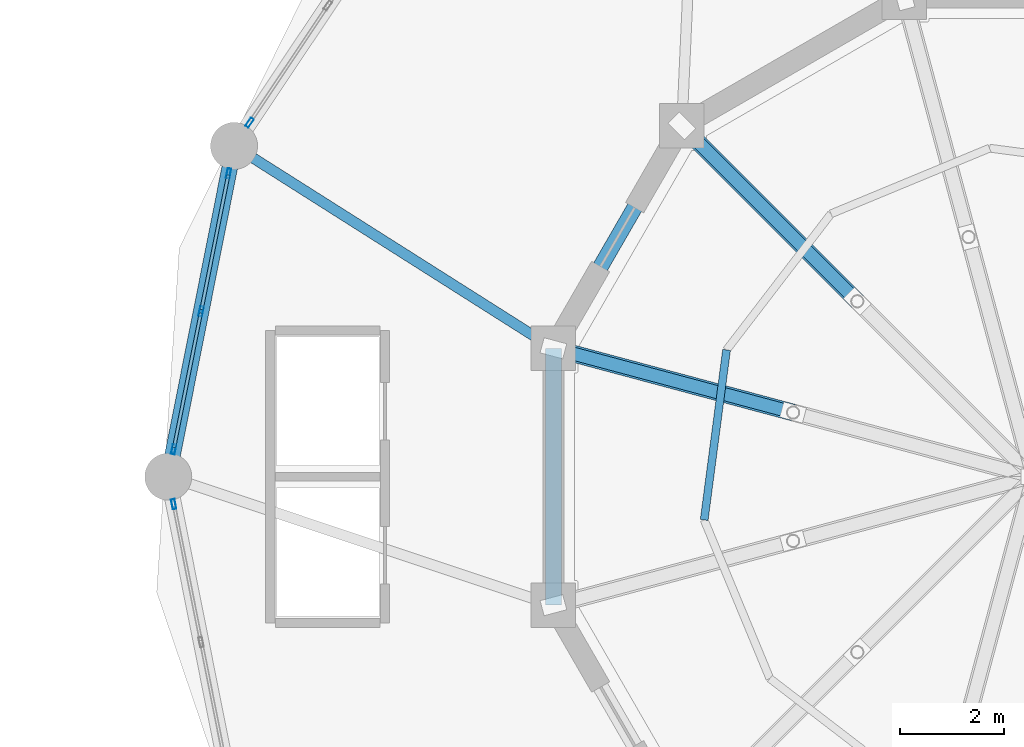
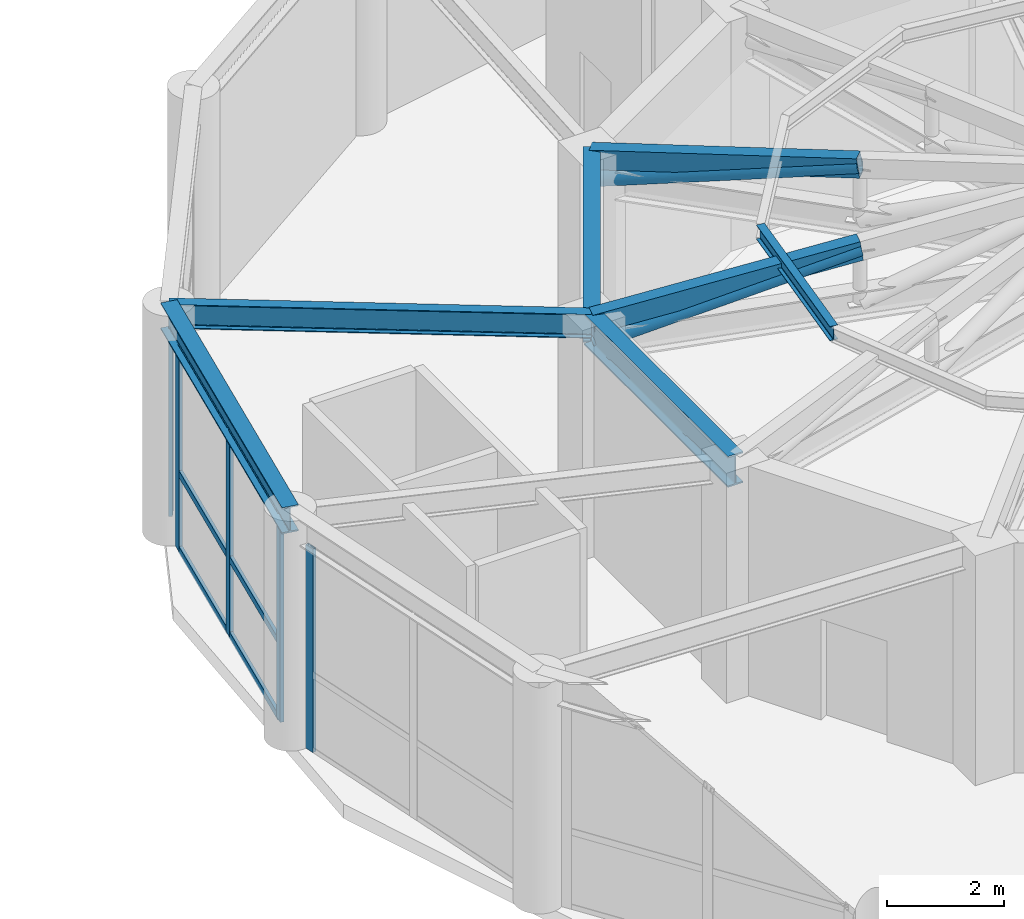
# One storey, part 10 of 26: 16 members, 4 beams, 3 elements without a shape of their own.
"""IFC4 building model written with IfcOpenShell, lengths in metres."""

from ifc_helpers import new_model, si_unit, derived_unit, direction, frame, origin, origin_2d, place, context, subcontext, project, spatial, hollow_rectangle, hollow_circle, i_section, extrude, source, transform, mapped, material, layer, layer_set, material_profile, profile_set, type_object, element, aggregate, save


model = new_model("IFC4")

# Units and contexts
model_context = context("Model", 3, precision=1e-05, world=origin(), true_north=direction((0.0, 1.0)))
body_context = subcontext(model_context, "Body", "Model", "MODEL_VIEW")
ifc_project = project(units=[si_unit("LENGTHUNIT", "METRE"), si_unit("AREAUNIT", "SQUARE_METRE"), si_unit("VOLUMEUNIT", "CUBIC_METRE"), si_unit("PLANEANGLEUNIT", "RADIAN"), si_unit("MASSUNIT", "GRAM", prefix="KILO"), derived_unit("THERMALTRANSMITTANCEUNIT", [(si_unit("POWERUNIT", "WATT"), 1), (si_unit("LENGTHUNIT", "METRE"), -2), (si_unit("THERMODYNAMICTEMPERATUREUNIT", "KELVIN"), -1)])], contexts=[model_context])

# Site, building, storey
site_placement = place(None, origin())
site = spatial("IfcSite", under=ifc_project, at=site_placement, CompositionType="ELEMENT")
building_placement = place(site_placement, origin())
building = spatial("IfcBuilding", under=site, at=building_placement, Name="Korsvarv Bourse and Concert Hall", CompositionType="ELEMENT")
storey_placement = place(building_placement, frame((0.0, 0.0, 19.199951171875)))
storey = spatial("IfcBuildingStorey", under=building, at=storey_placement, Name="L04", CompositionType="ELEMENT", Elevation=19.199951171875)

# Beams
ifc_material_1 = material(Name="Steel S355", Category="steel")
ifc_material_profile_1 = material_profile(ifc_material_1, i_section(OverallWidth=0.300048828125, OverallDepth=0.550048828125, WebThickness=0.014892578125, FlangeThickness=0.029052734375, FilletRadius=0.02392578125, at=origin_2d()), Name="HEB 550")
ifc_profile_set_1 = profile_set([ifc_material_profile_1], Name="Steel S355")
beam_type_1 = type_object("IfcBeamType", Name="BM-HEB550", PredefinedType="BEAM", material=ifc_profile_set_1)
shared_shape_1 = source(origin(), body_context, "Body", "SweptSolid", [
    extrude(i_section(OverallWidth=0.300048828125, OverallDepth=0.550048828125, WebThickness=0.014892578125, FlangeThickness=0.029052734375, FilletRadius=0.02392578125, at=origin_2d()), origin(), (0.0, 0.0, 1.0), 6.45751953125),
])
beam_1_placement = place(storey_placement, frame((91.509765625, 42.33349609375, 4.525146484375), z_axis=(-0.195083607229, -0.980786616034, 0.0), x_axis=(0.980786616034, -0.195083607229, 0.0)))
element("IfcBeam", 1, at=beam_1_placement, inside=storey, type_object=beam_type_1, Name="L04 beam B-06", PredefinedType="BEAM", context=body_context, shape_type="MappedRepresentation", body=[
    mapped(shared_shape_1, transform((0.0, 0.0, 0.0), scale=1.0)),
])
ifc_material_profile_2 = material_profile(ifc_material_1, i_section(OverallWidth=0.300048828125, OverallDepth=0.64990234375, WebThickness=0.01611328125, FlangeThickness=0.031005859375, FilletRadius=0.027099609375, at=origin_2d()), Name="HEB 650")
ifc_profile_set_2 = profile_set([ifc_material_profile_2], Name="Steel S355")
beam_type_2 = type_object("IfcBeamType", Name="BM-HEB650", PredefinedType="BEAM", material=ifc_profile_set_2)
shared_shape_2 = source(origin(), body_context, "Body", "SweptSolid", [
    extrude(i_section(OverallWidth=0.300048828125, OverallDepth=0.64990234375, WebThickness=0.01611328125, FlangeThickness=0.031005859375, FilletRadius=0.027099609375, at=origin_2d()), origin(), (0.0, 0.0, 1.0), 4.91748046875),
])
for number, where, z_axis, x_axis, name in (
    (2, (100.08251953125, 42.717529296875, 4.47509765625), (-0.499988900423, -0.866031812033, 0.0), (0.866031812033, -0.499988900423, 0.0), "L04 beam B-04"),
    (3, (97.623779296875, 38.458740234375, 4.47509765625), (0.0, -1.0, 0.0), (1.0, 0.0, 0.0), "L04 beam B-04"),
):
    element("IfcBeam", number, at=place(storey_placement, frame(where, z_axis=z_axis, x_axis=x_axis)), inside=storey, type_object=beam_type_2, Name=name, PredefinedType="BEAM", context=body_context, shape_type="MappedRepresentation", body=[
        mapped(shared_shape_2, transform((0.0, 0.0, 0.0), scale=1.0)),
    ])
ifc_material_profile_3 = material_profile(ifc_material_1, i_section(OverallWidth=0.199951171875, OverallDepth=0.5, WebThickness=0.01025390625, FlangeThickness=0.01611328125, FilletRadius=0.02099609375, at=origin_2d()), Name="IPE 500")
ifc_profile_set_3 = profile_set([ifc_material_profile_3], Name="Steel S355")
beam_type_3 = type_object("IfcBeamType", Name="BM-IPE500", PredefinedType="JOIST", material=ifc_profile_set_3)
shared_shape_3 = source(origin(), body_context, "Body", "SweptSolid", [
    extrude(i_section(OverallWidth=0.199951171875, OverallDepth=0.5, WebThickness=0.01025390625, FlangeThickness=0.01611328125, FilletRadius=0.02099609375, at=origin_2d()), origin(), (0.0, 0.0, 1.0), 7.238525390625),
])
beam_2_placement = place(storey_placement, frame((97.623779296875, 38.458740234375, 4.550048828125), z_axis=(-0.844659971835, 0.53530321499, 0.0), x_axis=(-0.53530321499, -0.844659971835, 0.0)))
element("IfcBeam", 4, at=beam_2_placement, inside=storey, type_object=beam_type_3, Name="L04 beam J-03", PredefinedType="JOIST", context=body_context, shape_type="MappedRepresentation", body=[
    mapped(shared_shape_3, transform((0.0, 0.0, 0.0), scale=1.0)),
])

# Members
ifc_material_profile_4 = material_profile(ifc_material_1, hollow_rectangle(XDim=0.25, YDim=0.39990234375, WallThickness=0.01611328125, at=origin_2d()), Name="RHS 400x250x16")
ifc_profile_set_4 = profile_set([ifc_material_profile_4], Name="Steel S355")
member_type_1 = type_object("IfcMemberType", Name="MEM-RHS400", PredefinedType="CHORD", material=ifc_profile_set_4)
shared_shape_4 = source(origin(), body_context, "Body", "SweptSolid", [
    extrude(hollow_rectangle(XDim=0.25, YDim=0.39990234375, WallThickness=0.01611328125, at=origin_2d()), origin(), (0.0, 0.0, 1.0), 4.79833984375),
])
for number, where, z_axis, x_axis, name in (
    (5, (100.08251953125, 42.717529296875, 4.60009765625), (0.699971430546, -0.699971430546, 0.141703891406), (0.707106781187, 0.707106781187, 0.0), "Concert Hall Roof Truss 5 Top Chord 1"),
    (6, (97.623779296875, 38.458740234375, 4.60009765625), (0.95618645144, -0.256180427978, 0.141700594224), (0.258791750001, 0.965933139576, 0.0), "Concert Hall Roof Truss 6 Top Chord 1"),
):
    element("IfcMember", number, at=place(storey_placement, frame(where, z_axis=z_axis, x_axis=x_axis)), inside=storey, type_object=member_type_1, Name=name, PredefinedType="CHORD", context=body_context, shape_type="MappedRepresentation", body=[
        mapped(shared_shape_4, transform((0.0, 0.0, 0.0), scale=1.0)),
    ])
ifc_material_profile_5 = material_profile(ifc_material_1, hollow_circle(Radius=0.161865234375, WallThickness=0.012451171875, at=origin_2d()), Name="CHS 323.9x12.5")
ifc_profile_set_5 = profile_set([ifc_material_profile_5], Name="Steel S355")
member_type_2 = type_object("IfcMemberType", Name="MEM-CHS324", PredefinedType="BRACE", material=ifc_profile_set_5)
shared_shape_5 = source(origin(), body_context, "Body", "SweptSolid", [
    extrude(hollow_circle(Radius=0.161865234375, WallThickness=0.012451171875, at=origin_2d()), origin(), (0.0, 0.0, 1.0), 4.882568359375),
])
member_1_placement = place(storey_placement, frame((97.623779296875, 38.458740234375, 4.150146484375), z_axis=(0.93971289474, -0.25176685069, 0.231415488578), x_axis=(0.258791750001, 0.965933139576, 0.0)))
element("IfcMember", 7, at=member_1_placement, inside=storey, type_object=member_type_2, Name="Concert Hall Roof Truss 6 Web Diagonal 1", PredefinedType="BRACE", context=body_context, shape_type="MappedRepresentation", body=[
    mapped(shared_shape_5, transform((0.0, 0.0, 0.0), scale=1.0)),
])
shared_shape_6 = source(origin(), body_context, "Body", "SweptSolid", [
    extrude(hollow_circle(Radius=0.161865234375, WallThickness=0.012451171875, at=origin_2d()), origin(), (0.0, 0.0, 1.0), 4.88232421875),
])
member_2_placement = place(storey_placement, frame((100.08251953125, 42.717529296875, 4.150146484375), z_axis=(0.687911500317, -0.687911500317, 0.231420689356), x_axis=(0.707106781187, 0.707106781187, 0.0)))
element("IfcMember", 8, at=member_2_placement, inside=storey, type_object=member_type_2, Name="Concert Hall Roof Truss 5 Web Diagonal 1", PredefinedType="BRACE", context=body_context, shape_type="MappedRepresentation", body=[
    mapped(shared_shape_6, transform((0.0, 0.0, 0.0), scale=1.0)),
])
ifc_material_profile_6 = material_profile(ifc_material_1, i_section(OverallWidth=0.14990234375, OverallDepth=0.300048828125, WebThickness=0.007080078125, FlangeThickness=0.0107421875, FilletRadius=0.014892578125, at=origin_2d()), Name="IPE 300")
ifc_profile_set_6 = profile_set([ifc_material_profile_6], Name="Steel S355")
member_type_3 = type_object("IfcMemberType", Name="MEM-PUR300", PredefinedType="PURLIN", material=ifc_profile_set_6)
shared_shape_7 = source(origin(), body_context, "Body", "SweptSolid", [
    extrude(i_section(OverallWidth=0.14990234375, OverallDepth=0.300048828125, WebThickness=0.007080078125, FlangeThickness=0.0107421875, FilletRadius=0.014892578125, at=origin_2d()), origin(), (0.0, 0.0, 1.0), 3.2841796875),
])
member_3_placement = place(storey_placement, frame((100.938232421875, 38.427978515625, 5.330078125), z_axis=(-0.130464127488, -0.991453030375, 0.0), x_axis=(0.991453030375, -0.130464127488, 0.0)))
element("IfcMember", 9, at=member_3_placement, inside=storey, type_object=member_type_3, Name="Concert Hall Auditorium Roof Purlin 6", PredefinedType="PURLIN", context=body_context, shape_type="MappedRepresentation", body=[
    mapped(shared_shape_7, transform((0.0, 0.0, 0.0), scale=1.0)),
])

# Curtain wall, members
ifc_material_2 = material(Name="Anodised aluminium and triple low-E glazing", Category="glass")
ifc_layer = layer(ifc_material_2, 0.22998046875)
ifc_layer_set = layer_set([ifc_layer], Name="Anodised aluminium and triple low-E glazing")
curtain_wall_type = type_object("IfcCurtainWallType", Name="CW-SYS-6", PredefinedType="NOTDEFINED", material=ifc_layer_set)
curtain_wall_1_placement = place(storey_placement, origin())
curtain_wall_1 = element("IfcCurtainWall", 10, at=curtain_wall_1_placement, inside=storey, type_object=curtain_wall_type, Name="L04 CW6 curtain wall CW-L04-CH08", PredefinedType="NOTDEFINED")
ifc_material_3 = material(Name="Extruded aluminium EN AW-6063 T66", Category="aluminium")
ifc_material_profile_7 = material_profile(ifc_material_3, hollow_rectangle(XDim=0.06494140625, YDim=0.139892578125, WallThickness=0.00390625, at=origin_2d()), Name="ALU-T 65x140")
ifc_profile_set_7 = profile_set([ifc_material_profile_7], Name="Extruded aluminium EN AW-6063 T66")
member_type_4 = type_object("IfcMemberType", Name="CWT-140", PredefinedType="USERDEFINED", material=ifc_profile_set_7)
shared_shape_8 = source(origin(), body_context, "Body", "SweptSolid", [
    extrude(hollow_rectangle(XDim=0.06494140625, YDim=0.139892578125, WallThickness=0.00390625, at=origin_2d()), origin(), (0.0, 0.0, 1.0), 2.62353515625),
])
member_4_placement = place(storey_placement, frame((91.3984375, 41.774169921875, 0.032470703125), z_axis=(-0.195042311364, -0.980794829094, 0.0), x_axis=(0.980794829094, -0.195042311364, 0.0)))
member_4 = element("IfcMember", 11, at=member_4_placement, type_object=member_type_4, Name="CW6 transom 1.1", ObjectType="TRANSOM", PredefinedType="USERDEFINED", context=body_context, shape_type="MappedRepresentation", body=[
    mapped(shared_shape_8, transform((0.0, 0.0, 0.0), scale=1.0)),
])
member_5_placement = place(storey_placement, frame((91.3984375, 41.774169921875, 1.614990234375), z_axis=(-0.195042311364, -0.980794829094, 0.0), x_axis=(0.980794829094, -0.195042311364, 0.0)))
member_5 = element("IfcMember", 12, at=member_5_placement, type_object=member_type_4, Name="CW6 transom 1.2", ObjectType="TRANSOM", PredefinedType="USERDEFINED", context=body_context, shape_type="MappedRepresentation", body=[
    mapped(shared_shape_8, transform((0.0, 0.0, 0.0), scale=1.0)),
])
member_6_placement = place(storey_placement, frame((91.3984375, 41.774169921875, 4.217529296875), z_axis=(-0.195042311364, -0.980794829094, 0.0), x_axis=(0.980794829094, -0.195042311364, 0.0)))
member_6 = element("IfcMember", 13, at=member_6_placement, type_object=member_type_4, Name="CW6 transom 1.3", ObjectType="TRANSOM", PredefinedType="USERDEFINED", context=body_context, shape_type="MappedRepresentation", body=[
    mapped(shared_shape_8, transform((0.0, 0.0, 0.0), scale=1.0)),
])
shared_shape_9 = source(origin(), body_context, "Body", "SweptSolid", [
    extrude(hollow_rectangle(XDim=0.06494140625, YDim=0.139892578125, WallThickness=0.00390625, at=origin_2d()), origin(), (0.0, 0.0, 1.0), 2.623291015625),
])
member_7_placement = place(storey_placement, frame((90.873046875, 39.13232421875, 0.032470703125), z_axis=(-0.195060113964, -0.980791288675, 0.0), x_axis=(0.980791288675, -0.195060113964, 0.0)))
member_7 = element("IfcMember", 14, at=member_7_placement, type_object=member_type_4, Name="CW6 transom 2.1", ObjectType="TRANSOM", PredefinedType="USERDEFINED", context=body_context, shape_type="MappedRepresentation", body=[
    mapped(shared_shape_9, transform((0.0, 0.0, 0.0), scale=1.0)),
])
member_8_placement = place(storey_placement, frame((90.873046875, 39.13232421875, 1.614990234375), z_axis=(-0.195060113964, -0.980791288675, 0.0), x_axis=(0.980791288675, -0.195060113964, 0.0)))
member_8 = element("IfcMember", 15, at=member_8_placement, type_object=member_type_4, Name="CW6 transom 2.2", ObjectType="TRANSOM", PredefinedType="USERDEFINED", context=body_context, shape_type="MappedRepresentation", body=[
    mapped(shared_shape_9, transform((0.0, 0.0, 0.0), scale=1.0)),
])
member_9_placement = place(storey_placement, frame((90.873046875, 39.13232421875, 4.217529296875), z_axis=(-0.195060113964, -0.980791288675, 0.0), x_axis=(0.980791288675, -0.195060113964, 0.0)))
member_9 = element("IfcMember", 16, at=member_9_placement, type_object=member_type_4, Name="CW6 transom 2.3", ObjectType="TRANSOM", PredefinedType="USERDEFINED", context=body_context, shape_type="MappedRepresentation", body=[
    mapped(shared_shape_9, transform((0.0, 0.0, 0.0), scale=1.0)),
])

# Curtain wall, member
curtain_wall_2_placement = place(storey_placement, origin())
curtain_wall_2 = element("IfcCurtainWall", 17, at=curtain_wall_2_placement, inside=storey, type_object=curtain_wall_type, Name="L04 CW6 curtain wall CW-L04-CH07", PredefinedType="NOTDEFINED")
ifc_material_profile_8 = material_profile(ifc_material_3, hollow_rectangle(XDim=0.070068359375, YDim=0.18994140625, WallThickness=0.0048828125, at=origin_2d()), Name="ALU-M 70x190")
ifc_profile_set_8 = profile_set([ifc_material_profile_8], Name="Extruded aluminium EN AW-6063 T66")
member_type_5 = type_object("IfcMemberType", Name="CWM-190", PredefinedType="MULLION", material=ifc_profile_set_8)
shared_shape_10 = source(origin(), body_context, "Body", "SweptSolid", [
    extrude(hollow_rectangle(XDim=0.070068359375, YDim=0.18994140625, WallThickness=0.0048828125, at=origin_2d()), origin(), (0.0, 0.0, 1.0), 4.25),
])
member_10_placement = place(storey_placement, frame((91.80712890625, 42.7783203125, 0.0), z_axis=(0.0, 0.0, 1.0), x_axis=(0.831469083386, -0.555571024599, 0.0)))
member_10 = element("IfcMember", 18, at=member_10_placement, type_object=member_type_5, Name="CW6 mullion 3", PredefinedType="MULLION", context=body_context, shape_type="MappedRepresentation", body=[
    mapped(shared_shape_10, transform((0.0, 0.0, 0.0), scale=1.0)),
])
aggregate(curtain_wall_2, [member_10])

# Member
member_11_placement = place(storey_placement, frame((91.4052734375, 41.80859375, 0.0), z_axis=(0.0, 0.0, 1.0), x_axis=(0.980785938629, -0.195087012862, 0.0)))
member_11 = element("IfcMember", 19, at=member_11_placement, type_object=member_type_5, Name="CW6 mullion 1", PredefinedType="MULLION", context=body_context, shape_type="MappedRepresentation", body=[
    mapped(shared_shape_10, transform((0.0, 0.0, 0.0), scale=1.0)),
])

member_12_placement = place(storey_placement, frame((90.8798828125, 39.166748046875, 0.0), z_axis=(0.0, 0.0, 1.0), x_axis=(0.980785938629, -0.195087012862, 0.0)))
member_12 = element("IfcMember", 20, at=member_12_placement, type_object=member_type_5, Name="CW6 mullion 2", PredefinedType="MULLION", context=body_context, shape_type="MappedRepresentation", body=[
    mapped(shared_shape_10, transform((0.0, 0.0, 0.0), scale=1.0)),
])

member_13_placement = place(storey_placement, frame((90.3544921875, 36.52490234375, 0.0), z_axis=(0.0, 0.0, 1.0), x_axis=(0.980785938629, -0.195087012862, 0.0)))
member_13 = element("IfcMember", 21, at=member_13_placement, type_object=member_type_5, Name="CW6 mullion 3", PredefinedType="MULLION", context=body_context, shape_type="MappedRepresentation", body=[
    mapped(shared_shape_10, transform((0.0, 0.0, 0.0), scale=1.0)),
])

aggregate(curtain_wall_1, [member_11, member_12, member_13, member_4, member_5, member_6, member_7, member_8, member_9])

# Curtain wall, member
curtain_wall_3_placement = place(storey_placement, origin())
curtain_wall_3 = element("IfcCurtainWall", 22, at=curtain_wall_3_placement, inside=storey, type_object=curtain_wall_type, Name="L04 CW6 curtain wall CW-L04-CH09", PredefinedType="NOTDEFINED")
member_14_placement = place(storey_placement, frame((90.3544921875, 35.47509765625, 0.0), z_axis=(0.0, 0.0, 1.0), x_axis=(0.980785938629, 0.195087012862, 0.0)))
member_14 = element("IfcMember", 23, at=member_14_placement, type_object=member_type_5, Name="CW6 mullion 1", PredefinedType="MULLION", context=body_context, shape_type="MappedRepresentation", body=[
    mapped(shared_shape_10, transform((0.0, 0.0, 0.0), scale=1.0)),
])
aggregate(curtain_wall_3, [member_14])

save(model, "model.ifc")
